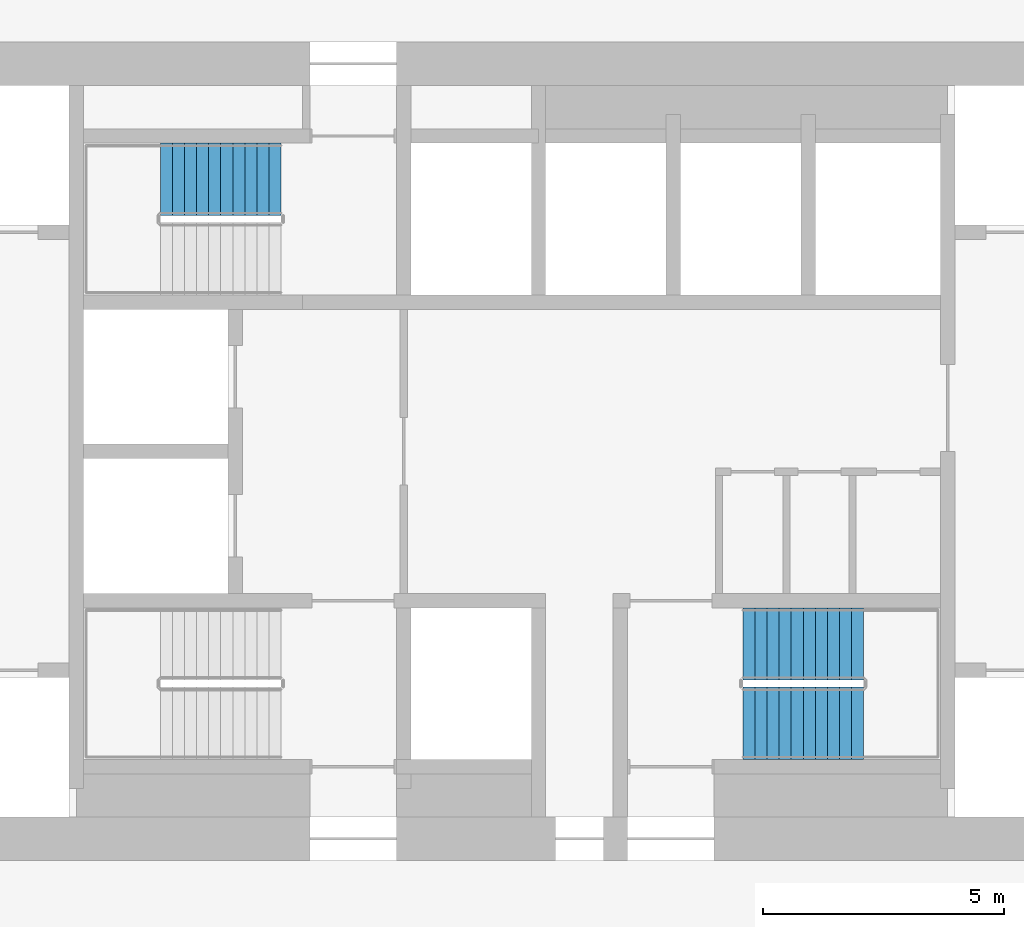
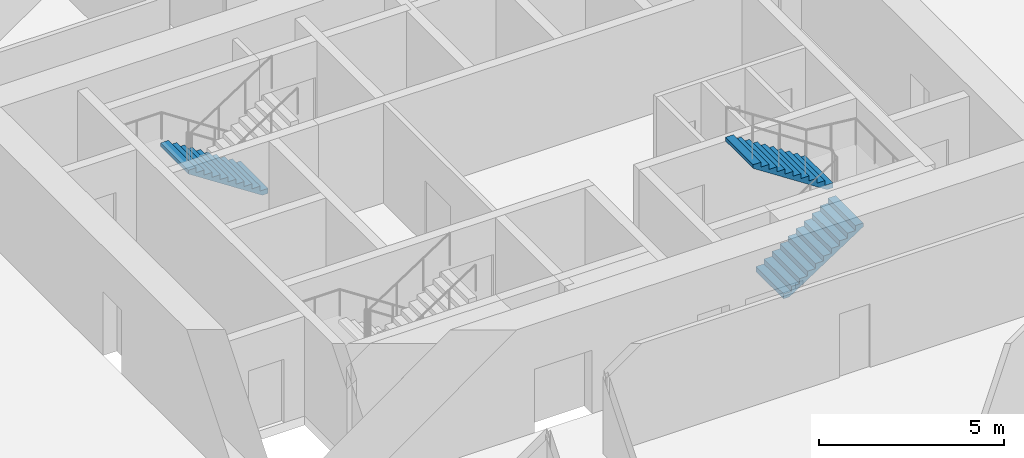
# One storey, part 9 of 10: 3 stair flights, 2 elements without a shape of their own.
"""IFC4 building model written with IfcOpenShell, lengths in metres."""

from ifc_helpers import new_model, si_unit, direction, frame, origin, place, context, subcontext, project, spatial, polyline, outline, extrude, material, type_object, element, aggregate, save


model = new_model("IFC4")

# Units and contexts
model_context = context("Model", 3, precision=1e-05, world=origin(), true_north=direction((0.0, 1.0)))
body_context = subcontext(model_context, "Body", "Model", "MODEL_VIEW")
ifc_project = project(units=[si_unit("LENGTHUNIT", "METRE"), si_unit("AREAUNIT", "SQUARE_METRE"), si_unit("VOLUMEUNIT", "CUBIC_METRE"), si_unit("PLANEANGLEUNIT", "RADIAN"), si_unit("MASSUNIT", "GRAM", prefix="KILO")], contexts=[model_context])

# Site, building, storey
site_placement = place(None, origin())
site = spatial("IfcSite", under=ifc_project, at=site_placement, CompositionType="ELEMENT")
building_placement = place(site_placement, origin())
building = spatial("IfcBuilding", under=site, at=building_placement, Name="Tracery Tower", CompositionType="ELEMENT")
storey_placement = place(building_placement, frame((0.0, 0.0, 136.800048828125)))
storey = spatial("IfcBuildingStorey", under=building, at=storey_placement, Name="L34", CompositionType="ELEMENT", Elevation=136.800048828125)

# Stair, stair flight
ifc_material_1 = material(Name="Concrete C32/40", Category="concrete")
stair_type = type_object("IfcStairType", Name="Core stair 22 risers", PredefinedType="HALF_TURN_STAIR", material=ifc_material_1)
stair_1_placement = place(storey_placement, origin())
stair_1 = element("IfcStair", 1, at=stair_1_placement, inside=storey, type_object=stair_type, Name="L34 stair ST3", PredefinedType="HALF_TURN_STAIR")
ifc_material_2 = material(Name="Concrete C32/40", Category="concrete")
stair_flight_type = type_object("IfcStairFlightType", Name="Core stair flight 11 risers", PredefinedType="STRAIGHT", material=ifc_material_2)
stair_flight_1_placement = place(storey_placement, frame((-4.800048828125, 5.64990234375, 0.0), z_axis=(0.0, 0.0, 1.0), x_axis=(-1.0, 0.0, 0.0)))
stair_flight_1 = element("IfcStairFlight", 2, at=stair_flight_1_placement, type_object=stair_flight_type, Name="ST3 flight 1", NumberOfRisers=11, NumberOfTreads=10, PredefinedType="STRAIGHT", RiserHeight=0.163636364, TreadLength=0.25, context=body_context, shape_type="SweptSolid", body=[
    extrude(outline(polyline([(0.0, 0.0), (0.0, 0.002685546875), (0.0, 0.00537109375), (0.0, 0.008056640625), (0.0, 0.0107421875), (0.0, 0.013427734375), (0.0, 0.01611328125), (0.0, 0.018798828125), (0.0, 0.021484375), (0.0, 0.024169921875), (0.0, 0.02685546875), (0.0, 0.029541015625), (0.0, 0.0322265625), (0.0, 0.034912109375), (0.0, 0.03759765625), (0.0, 0.040283203125), (0.0, 0.04296875), (0.0, 0.045654296875), (0.0, 0.04833984375), (0.0, 0.051025390625), (0.0, 0.0537109375), (0.0, 0.056396484375), (0.0, 0.05908203125), (0.0, 0.061767578125), (0.0, 0.064453125), (0.0, 0.067138671875), (0.0, 0.06982421875), (0.0, 0.072509765625), (0.0, 0.0751953125), (0.0, 0.077880859375), (0.0, 0.08056640625), (0.0, 0.083251953125), (0.0, 0.0859375), (0.0, 0.088623046875), (0.0, 0.09130859375), (0.0, 0.093994140625), (0.0, 0.0966796875), (0.0, 0.099365234375), (0.0, 0.10205078125), (0.0, 0.104736328125), (0.0, 0.107421875), (0.0, 0.10986328125), (0.0, 0.112548828125), (0.0, 0.115234375), (0.0, 0.117919921875), (0.0, 0.12060546875), (0.0, 0.123291015625), (0.0, 0.1259765625), (0.0, 0.128662109375), (0.0, 0.13134765625), (0.0, 0.134033203125), (0.0, 0.13671875), (0.0, 0.139404296875), (0.0, 0.14208984375), (0.0, 0.144775390625), (0.0, 0.1474609375), (0.0, 0.150146484375), (0.0, 0.15283203125), (0.0, 0.155517578125), (0.0, 0.158203125), (0.0, 0.160888671875), (0.0, 0.16357421875), (0.25, 0.16357421875), (0.25, 0.327392578125), (0.5, 0.327392578125), (0.5, 0.490966796875), (0.75, 0.490966796875), (0.75, 0.654541015625), (1.0, 0.654541015625), (1.0, 0.818115234375), (1.25, 0.818115234375), (1.25, 0.98193359375), (1.5, 0.98193359375), (1.5, 1.1455078125), (1.75, 1.1455078125), (1.75, 1.30908203125), (2.0, 1.30908203125), (2.0, 1.47265625), (2.25, 1.47265625), (2.25, 1.636474609375), (2.5, 1.636474609375), (2.5, 1.634521484375), (2.5, 1.63232421875), (2.5, 1.63037109375), (2.5, 1.62841796875), (2.5, 1.62646484375), (2.5, 1.62451171875), (2.5, 1.62255859375), (2.5, 1.62060546875), (2.5, 1.61865234375), (2.5, 1.61669921875), (2.5, 1.61474609375), (2.5, 1.61279296875), (2.5, 1.61083984375), (2.5, 1.60888671875), (2.5, 1.60693359375), (2.5, 1.60498046875), (2.5, 1.60302734375), (2.5, 1.60107421875), (2.5, 1.59912109375), (2.5, 1.59716796875), (2.5, 1.59521484375), (2.5, 1.59326171875), (2.5, 1.59130859375), (2.5, 1.58935546875), (2.5, 1.58740234375), (2.5, 1.58544921875), (2.5, 1.58349609375), (2.5, 1.58154296875), (2.5, 1.57958984375), (2.5, 1.57763671875), (2.5, 1.57568359375), (2.5, 1.573486328125), (2.5, 1.571533203125), (2.5, 1.569580078125), (2.5, 1.567626953125), (2.5, 1.565673828125), (2.5, 1.563720703125), (2.5, 1.561767578125), (2.5, 1.559814453125), (2.5, 1.557861328125), (2.5, 1.555908203125), (2.5, 1.553955078125), (2.5, 1.552001953125), (2.5, 1.550048828125), (2.5, 1.548095703125), (2.5, 1.546142578125), (2.5, 1.544189453125), (2.5, 1.542236328125), (2.5, 1.540283203125), (2.5, 1.538330078125), (2.5, 1.536376953125), (2.5, 1.534423828125), (2.5, 1.532470703125), (2.5, 1.530517578125), (2.5, 1.528564453125), (2.5, 1.526611328125), (2.5, 1.524658203125), (2.5, 1.522705078125), (2.5, 1.520751953125), (2.5, 1.518798828125), (2.5, 1.516845703125), (0.182861328125, 0.0), (0.0, 0.0)])), frame((0.0, 0.75, 0.0), z_axis=(0.0, -1.0, 0.0), x_axis=(1.0, 0.0, 0.0)), (0.0, 0.0, 1.0), 1.5),
])
aggregate(stair_1, [stair_flight_1])

# Stair, stair flights
stair_2_placement = place(storey_placement, origin())
stair_2 = element("IfcStair", 3, at=stair_2_placement, inside=storey, type_object=stair_type, Name="L34 stair ST2", PredefinedType="HALF_TURN_STAIR")
stair_flight_2_placement = place(storey_placement, frame((4.800048828125, -5.64990234375, 0.0), z_axis=(0.0, 0.0, 1.0), x_axis=(1.0, 0.0, 0.0)))
stair_flight_2 = element("IfcStairFlight", 4, at=stair_flight_2_placement, type_object=stair_flight_type, Name="ST2 flight 1", NumberOfRisers=11, NumberOfTreads=10, PredefinedType="STRAIGHT", RiserHeight=0.163636364, TreadLength=0.25, context=body_context, shape_type="SweptSolid", body=[
    extrude(outline(polyline([(0.0, 0.0), (0.0, 0.002685546875), (0.0, 0.00537109375), (0.0, 0.008056640625), (0.0, 0.0107421875), (0.0, 0.013427734375), (0.0, 0.01611328125), (0.0, 0.018798828125), (0.0, 0.021484375), (0.0, 0.024169921875), (0.0, 0.02685546875), (0.0, 0.029541015625), (0.0, 0.0322265625), (0.0, 0.034912109375), (0.0, 0.03759765625), (0.0, 0.040283203125), (0.0, 0.04296875), (0.0, 0.045654296875), (0.0, 0.04833984375), (0.0, 0.051025390625), (0.0, 0.0537109375), (0.0, 0.056396484375), (0.0, 0.05908203125), (0.0, 0.061767578125), (0.0, 0.064453125), (0.0, 0.067138671875), (0.0, 0.06982421875), (0.0, 0.072509765625), (0.0, 0.0751953125), (0.0, 0.077880859375), (0.0, 0.08056640625), (0.0, 0.083251953125), (0.0, 0.0859375), (0.0, 0.088623046875), (0.0, 0.09130859375), (0.0, 0.093994140625), (0.0, 0.0966796875), (0.0, 0.099365234375), (0.0, 0.10205078125), (0.0, 0.104736328125), (0.0, 0.107421875), (0.0, 0.10986328125), (0.0, 0.112548828125), (0.0, 0.115234375), (0.0, 0.117919921875), (0.0, 0.12060546875), (0.0, 0.123291015625), (0.0, 0.1259765625), (0.0, 0.128662109375), (0.0, 0.13134765625), (0.0, 0.134033203125), (0.0, 0.13671875), (0.0, 0.139404296875), (0.0, 0.14208984375), (0.0, 0.144775390625), (0.0, 0.1474609375), (0.0, 0.150146484375), (0.0, 0.15283203125), (0.0, 0.155517578125), (0.0, 0.158203125), (0.0, 0.160888671875), (0.0, 0.16357421875), (0.25, 0.16357421875), (0.25, 0.327392578125), (0.5, 0.327392578125), (0.5, 0.490966796875), (0.75, 0.490966796875), (0.75, 0.654541015625), (1.0, 0.654541015625), (1.0, 0.818115234375), (1.25, 0.818115234375), (1.25, 0.98193359375), (1.5, 0.98193359375), (1.5, 1.1455078125), (1.75, 1.1455078125), (1.75, 1.30908203125), (2.0, 1.30908203125), (2.0, 1.47265625), (2.25, 1.47265625), (2.25, 1.636474609375), (2.5, 1.636474609375), (2.5, 1.634521484375), (2.5, 1.63232421875), (2.5, 1.63037109375), (2.5, 1.62841796875), (2.5, 1.62646484375), (2.5, 1.62451171875), (2.5, 1.62255859375), (2.5, 1.62060546875), (2.5, 1.61865234375), (2.5, 1.61669921875), (2.5, 1.61474609375), (2.5, 1.61279296875), (2.5, 1.61083984375), (2.5, 1.60888671875), (2.5, 1.60693359375), (2.5, 1.60498046875), (2.5, 1.60302734375), (2.5, 1.60107421875), (2.5, 1.59912109375), (2.5, 1.59716796875), (2.5, 1.59521484375), (2.5, 1.59326171875), (2.5, 1.59130859375), (2.5, 1.58935546875), (2.5, 1.58740234375), (2.5, 1.58544921875), (2.5, 1.58349609375), (2.5, 1.58154296875), (2.5, 1.57958984375), (2.5, 1.57763671875), (2.5, 1.57568359375), (2.5, 1.573486328125), (2.5, 1.571533203125), (2.5, 1.569580078125), (2.5, 1.567626953125), (2.5, 1.565673828125), (2.5, 1.563720703125), (2.5, 1.561767578125), (2.5, 1.559814453125), (2.5, 1.557861328125), (2.5, 1.555908203125), (2.5, 1.553955078125), (2.5, 1.552001953125), (2.5, 1.550048828125), (2.5, 1.548095703125), (2.5, 1.546142578125), (2.5, 1.544189453125), (2.5, 1.542236328125), (2.5, 1.540283203125), (2.5, 1.538330078125), (2.5, 1.536376953125), (2.5, 1.534423828125), (2.5, 1.532470703125), (2.5, 1.530517578125), (2.5, 1.528564453125), (2.5, 1.526611328125), (2.5, 1.524658203125), (2.5, 1.522705078125), (2.5, 1.520751953125), (2.5, 1.518798828125), (2.5, 1.516845703125), (0.182861328125, 0.0), (0.0, 0.0)])), frame((0.0, 0.75, 0.0), z_axis=(0.0, -1.0, 0.0), x_axis=(1.0, 0.0, 0.0)), (0.0, 0.0, 1.0), 1.5),
])
stair_flight_3_placement = place(storey_placement, frame((7.300048828125, -4.0, 1.800048828125), z_axis=(0.0, 0.0, 1.0), x_axis=(-1.0, 0.0, 0.0)))
stair_flight_3 = element("IfcStairFlight", 5, at=stair_flight_3_placement, type_object=stair_flight_type, Name="ST2 flight 2", NumberOfRisers=11, NumberOfTreads=10, PredefinedType="STRAIGHT", RiserHeight=0.163636364, TreadLength=0.25, context=body_context, shape_type="SweptSolid", body=[
    extrude(outline(polyline([(0.0, 0.0), (0.0, 0.002685546875), (0.0, 0.00537109375), (0.0, 0.008056640625), (0.0, 0.0107421875), (0.0, 0.013427734375), (0.0, 0.01611328125), (0.0, 0.018798828125), (0.0, 0.021484375), (0.0, 0.024169921875), (0.0, 0.02685546875), (0.0, 0.029541015625), (0.0, 0.0322265625), (0.0, 0.034912109375), (0.0, 0.03759765625), (0.0, 0.040283203125), (0.0, 0.04296875), (0.0, 0.045654296875), (0.0, 0.04833984375), (0.0, 0.051025390625), (0.0, 0.0537109375), (0.0, 0.056396484375), (0.0, 0.05908203125), (0.0, 0.061767578125), (0.0, 0.064453125), (0.0, 0.067138671875), (0.0, 0.06982421875), (0.0, 0.072509765625), (0.0, 0.0751953125), (0.0, 0.077880859375), (0.0, 0.08056640625), (0.0, 0.083251953125), (0.0, 0.0859375), (0.0, 0.088623046875), (0.0, 0.09130859375), (0.0, 0.093994140625), (0.0, 0.0966796875), (0.0, 0.099365234375), (0.0, 0.10205078125), (0.0, 0.104736328125), (0.0, 0.107421875), (0.0, 0.10986328125), (0.0, 0.112548828125), (0.0, 0.115234375), (0.0, 0.117919921875), (0.0, 0.12060546875), (0.0, 0.123291015625), (0.0, 0.1259765625), (0.0, 0.128662109375), (0.0, 0.13134765625), (0.0, 0.134033203125), (0.0, 0.13671875), (0.0, 0.139404296875), (0.0, 0.14208984375), (0.0, 0.144775390625), (0.0, 0.1474609375), (0.0, 0.150146484375), (0.0, 0.15283203125), (0.0, 0.155517578125), (0.0, 0.158203125), (0.0, 0.160888671875), (0.0, 0.16357421875), (0.25, 0.16357421875), (0.25, 0.327392578125), (0.5, 0.327392578125), (0.5, 0.490966796875), (0.75, 0.490966796875), (0.75, 0.654541015625), (1.0, 0.654541015625), (1.0, 0.818115234375), (1.25, 0.818115234375), (1.25, 0.98193359375), (1.5, 0.98193359375), (1.5, 1.1455078125), (1.75, 1.1455078125), (1.75, 1.30908203125), (2.0, 1.30908203125), (2.0, 1.47265625), (2.25, 1.47265625), (2.25, 1.636474609375), (2.5, 1.636474609375), (2.5, 1.634521484375), (2.5, 1.63232421875), (2.5, 1.63037109375), (2.5, 1.62841796875), (2.5, 1.62646484375), (2.5, 1.62451171875), (2.5, 1.62255859375), (2.5, 1.62060546875), (2.5, 1.61865234375), (2.5, 1.61669921875), (2.5, 1.61474609375), (2.5, 1.61279296875), (2.5, 1.61083984375), (2.5, 1.60888671875), (2.5, 1.60693359375), (2.5, 1.60498046875), (2.5, 1.60302734375), (2.5, 1.60107421875), (2.5, 1.59912109375), (2.5, 1.59716796875), (2.5, 1.59521484375), (2.5, 1.59326171875), (2.5, 1.59130859375), (2.5, 1.58935546875), (2.5, 1.58740234375), (2.5, 1.58544921875), (2.5, 1.58349609375), (2.5, 1.58154296875), (2.5, 1.57958984375), (2.5, 1.57763671875), (2.5, 1.57568359375), (2.5, 1.573486328125), (2.5, 1.571533203125), (2.5, 1.569580078125), (2.5, 1.567626953125), (2.5, 1.565673828125), (2.5, 1.563720703125), (2.5, 1.561767578125), (2.5, 1.559814453125), (2.5, 1.557861328125), (2.5, 1.555908203125), (2.5, 1.553955078125), (2.5, 1.552001953125), (2.5, 1.550048828125), (2.5, 1.548095703125), (2.5, 1.546142578125), (2.5, 1.544189453125), (2.5, 1.542236328125), (2.5, 1.540283203125), (2.5, 1.538330078125), (2.5, 1.536376953125), (2.5, 1.534423828125), (2.5, 1.532470703125), (2.5, 1.530517578125), (2.5, 1.528564453125), (2.5, 1.526611328125), (2.5, 1.524658203125), (2.5, 1.522705078125), (2.5, 1.520751953125), (2.5, 1.518798828125), (2.5, 1.516845703125), (0.182861328125, 0.0), (0.0, 0.0)])), frame((0.0, 0.75, 0.0), z_axis=(0.0, -1.0, 0.0), x_axis=(1.0, 0.0, 0.0)), (0.0, 0.0, 1.0), 1.5),
])
aggregate(stair_2, [stair_flight_2, stair_flight_3])

save(model, "model.ifc")
